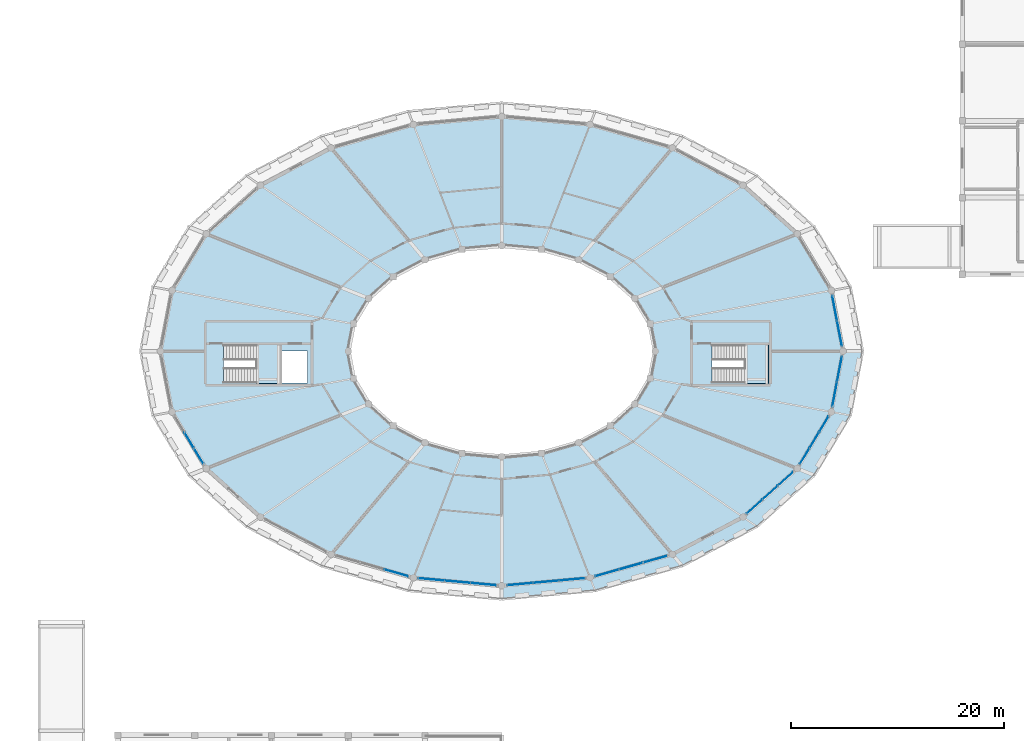
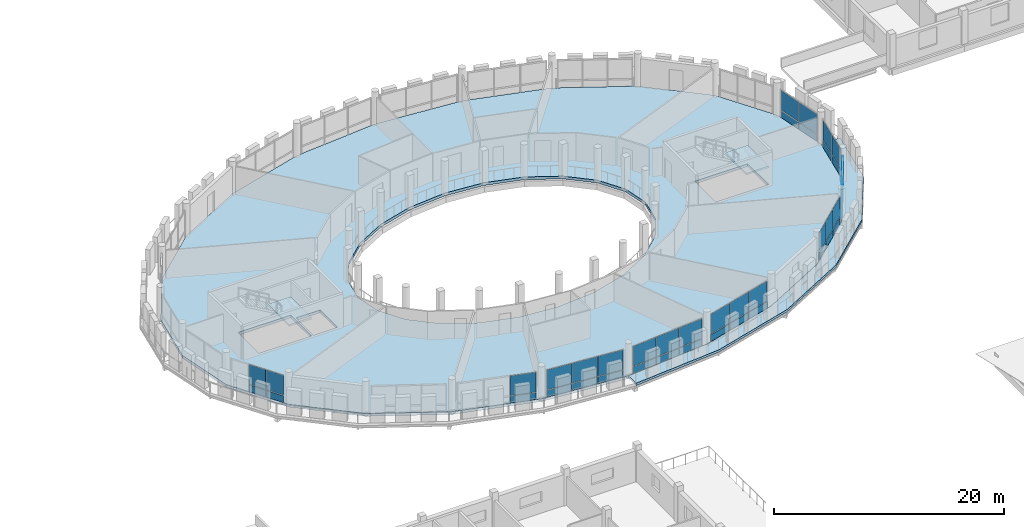
# One storey, part 65 of 93: 44 plates, 4 slabs, 11 elements without a shape of their own.
"""IFC4 building model written with IfcOpenShell, lengths in metres."""

from ifc_helpers import new_model, si_unit, direction, frame, origin, origin_2d, place, context, subcontext, project, spatial, polyline, rectangle, outline, extrude, material, layer, layer_set, type_object, element, aggregate, save


model = new_model("IFC4")

# Units and contexts
model_context = context("Model", 3, precision=1e-05, world=origin(), true_north=direction((0.0, 1.0)))
body_context = subcontext(model_context, "Body", "Model", "MODEL_VIEW")
ifc_project = project(units=[si_unit("LENGTHUNIT", "METRE"), si_unit("AREAUNIT", "SQUARE_METRE"), si_unit("VOLUMEUNIT", "CUBIC_METRE"), si_unit("PLANEANGLEUNIT", "RADIAN"), si_unit("MASSUNIT", "GRAM", prefix="KILO")], contexts=[model_context])

# Site, building, storey
site_placement = place(None, origin())
site = spatial("IfcSite", under=ifc_project, at=site_placement, CompositionType="ELEMENT")
building_placement = place(site_placement, origin())
building = spatial("IfcBuilding", under=site, at=building_placement, Name="Zornivar Specialist Clinic", CompositionType="ELEMENT")
storey_placement = place(building_placement, frame((0.0, 0.0, 8.39990234375)))
storey = spatial("IfcBuildingStorey", under=building, at=storey_placement, Name="L02", CompositionType="ELEMENT", Elevation=8.39990234375)

# Curtain wall, plate
ifc_material_1 = material(Name="Aluminium and Low-E Glass Curtain Wall", Category="aluminium")
curtain_wall_type = type_object("IfcCurtainWallType", Name="CW-DRUM-FACET", PredefinedType="NOTDEFINED", material=ifc_material_1)
curtain_wall_1_placement = place(storey_placement, origin())
curtain_wall_1 = element("IfcCurtainWall", 1, at=curtain_wall_1_placement, inside=storey, type_object=curtain_wall_type, Name="cw:V1:L02:c16", PredefinedType="NOTDEFINED")
ifc_material_2 = material(Name="Insulated Bronze Spandrel Panel")
ifc_layer_1 = layer(ifc_material_2, 0.048095703125)
ifc_layer_set_1 = layer_set([ifc_layer_1], Name="Insulated Bronze Spandrel Panel")
plate_type_1 = type_object("IfcPlateType", Name="CWP-SPN-A", PredefinedType="CURTAIN_PANEL", material=ifc_layer_set_1)
plate_1_placement = place(storey_placement, frame((83.72412109375, 36.803955078125, 0.02978515625), z_axis=(0.0, 0.0, 1.0), x_axis=(0.961761244933, -0.273889225319, 0.0)))
plate_1 = element("IfcPlate", 2, at=plate_1_placement, type_object=plate_type_1, Name="cw:V1:L02:c16:spn:2", PredefinedType="CURTAIN_PANEL", context=body_context, shape_type="SweptSolid", body=[
    extrude(rectangle(XDim=2.284912109375, YDim=0.048095703125, at=origin_2d()), origin(), (0.0, 0.0, 1.0), 0.722900390625),
])

# Curtain wall, plates
curtain_wall_2_placement = place(storey_placement, origin())
curtain_wall_2 = element("IfcCurtainWall", 3, at=curtain_wall_2_placement, inside=storey, type_object=curtain_wall_type, Name="cw:V1:L02:c22", PredefinedType="NOTDEFINED")
plate_2_placement = place(storey_placement, frame((122.010986328125, 47.759033203125, 0.02978515625), z_axis=(0.0, 0.0, 1.0), x_axis=(0.516127401954, 0.856511824175, 0.0)))
plate_2 = element("IfcPlate", 4, at=plate_2_placement, type_object=plate_type_1, Name="cw:V1:L02:c22:spn:0", PredefinedType="CURTAIN_PANEL", context=body_context, shape_type="SweptSolid", body=[
    extrude(rectangle(XDim=1.675048828125, YDim=0.048095703125, at=origin_2d()), origin(), (0.0, 0.0, 1.0), 0.722900390625),
])
plate_3_placement = place(storey_placement, frame((122.910888671875, 49.2529296875, 0.02978515625), z_axis=(0.0, 0.0, 1.0), x_axis=(0.516127401954, 0.856511824175, 0.0)))
plate_3 = element("IfcPlate", 5, at=plate_3_placement, type_object=plate_type_1, Name="cw:V1:L02:c22:spn:1", PredefinedType="CURTAIN_PANEL", context=body_context, shape_type="SweptSolid", body=[
    extrude(rectangle(XDim=1.675048828125, YDim=0.048095703125, at=origin_2d()), origin(), (0.0, 0.0, 1.0), 0.722900390625),
])
plate_4_placement = place(storey_placement, frame((123.81201171875, 50.748046875, 0.02978515625), z_axis=(0.0, 0.0, 1.0), x_axis=(0.516127401954, 0.856511824175, 0.0)))
plate_4 = element("IfcPlate", 6, at=plate_4_placement, type_object=plate_type_1, Name="cw:V1:L02:c22:spn:2", PredefinedType="CURTAIN_PANEL", context=body_context, shape_type="SweptSolid", body=[
    extrude(rectangle(XDim=1.675048828125, YDim=0.048095703125, at=origin_2d()), origin(), (0.0, 0.0, 1.0), 0.722900390625),
])

curtain_wall_3_placement = place(storey_placement, origin())
curtain_wall_3 = element("IfcCurtainWall", 7, at=curtain_wall_3_placement, inside=storey, type_object=curtain_wall_type, Name="cw:V1:L02:c17", PredefinedType="NOTDEFINED")
ifc_material_3 = material(Name="Insulated Bronze Spandrel Panel")
ifc_layer_2 = layer(ifc_material_3, 0.048095703125)
ifc_layer_set_2 = layer_set([ifc_layer_2], Name="Insulated Bronze Spandrel Panel")
plate_type_2 = type_object("IfcPlateType", Name="CWP-SPN-B", PredefinedType="CURTAIN_PANEL", material=ifc_layer_set_2)
plate_5_placement = place(storey_placement, frame((87.01708984375, 36.196044921875, 0.02978515625), z_axis=(0.0, 0.0, 1.0), x_axis=(0.995932792393, -0.09009923993, 0.0)))
plate_5 = element("IfcPlate", 8, at=plate_5_placement, type_object=plate_type_2, Name="cw:V1:L02:c17:spn:0", PredefinedType="CURTAIN_PANEL", context=body_context, shape_type="SweptSolid", body=[
    extrude(rectangle(XDim=2.382080078125, YDim=0.048095703125, at=origin_2d()), origin(), (0.0, 0.0, 1.0), 0.722900390625),
])
plate_6_placement = place(storey_placement, frame((89.458984375, 35.97509765625, 0.02978515625), z_axis=(0.0, 0.0, 1.0), x_axis=(0.995932792393, -0.09009923993, 0.0)))
plate_6 = element("IfcPlate", 9, at=plate_6_placement, type_object=plate_type_2, Name="cw:V1:L02:c17:spn:1", PredefinedType="CURTAIN_PANEL", context=body_context, shape_type="SweptSolid", body=[
    extrude(rectangle(XDim=2.382080078125, YDim=0.048095703125, at=origin_2d()), origin(), (0.0, 0.0, 1.0), 0.722900390625),
])
plate_7_placement = place(storey_placement, frame((91.90087890625, 35.75390625, 0.02978515625), z_axis=(0.0, 0.0, 1.0), x_axis=(0.995932792393, -0.09009923993, 0.0)))
plate_7 = element("IfcPlate", 10, at=plate_7_placement, type_object=plate_type_2, Name="cw:V1:L02:c17:spn:2", PredefinedType="CURTAIN_PANEL", context=body_context, shape_type="SweptSolid", body=[
    extrude(rectangle(XDim=2.382080078125, YDim=0.048095703125, at=origin_2d()), origin(), (0.0, 0.0, 1.0), 0.722900390625),
])

curtain_wall_4_placement = place(storey_placement, origin())
curtain_wall_4 = element("IfcCurtainWall", 11, at=curtain_wall_4_placement, inside=storey, type_object=curtain_wall_type, Name="cw:V1:L02:c23", PredefinedType="NOTDEFINED")
plate_8_placement = place(storey_placement, frame((124.827880859375, 53.56494140625, 0.02978515625), z_axis=(0.0, 0.0, 1.0), x_axis=(0.187896976838, 0.982188742602, 0.0)))
plate_8 = element("IfcPlate", 12, at=plate_8_placement, type_object=plate_type_2, Name="cw:V1:L02:c23:spn:0", PredefinedType="CURTAIN_PANEL", context=body_context, shape_type="SweptSolid", body=[
    extrude(rectangle(XDim=2.34912109375, YDim=0.048095703125, at=origin_2d()), origin(), (0.0, 0.0, 1.0), 0.722900390625),
])
plate_9_placement = place(storey_placement, frame((125.282958984375, 55.94091796875, 0.02978515625), z_axis=(0.0, 0.0, 1.0), x_axis=(0.187896976838, 0.982188742602, 0.0)))
plate_9 = element("IfcPlate", 13, at=plate_9_placement, type_object=plate_type_2, Name="cw:V1:L02:c23:spn:1", PredefinedType="CURTAIN_PANEL", context=body_context, shape_type="SweptSolid", body=[
    extrude(rectangle(XDim=2.34912109375, YDim=0.048095703125, at=origin_2d()), origin(), (0.0, 0.0, 1.0), 0.722900390625),
])

curtain_wall_5_placement = place(storey_placement, origin())
curtain_wall_5 = element("IfcCurtainWall", 14, at=curtain_wall_5_placement, inside=storey, type_object=curtain_wall_type, Name="cw:V1:L02:c00", PredefinedType="NOTDEFINED")
ifc_material_4 = material(Name="Insulated Bronze Spandrel Panel")
ifc_layer_3 = layer(ifc_material_4, 0.048095703125)
ifc_layer_set_3 = layer_set([ifc_layer_3], Name="Insulated Bronze Spandrel Panel")
plate_type_3 = type_object("IfcPlateType", Name="CWP-SPN-C", PredefinedType="CURTAIN_PANEL", material=ifc_layer_set_3)
plate_10_placement = place(storey_placement, frame((125.281982421875, 59.259033203125, 0.02978515625), z_axis=(0.0, 0.0, 1.0), x_axis=(-0.187896976838, 0.982188742602, 0.0)))
plate_10 = element("IfcPlate", 15, at=plate_10_placement, type_object=plate_type_3, Name="cw:V1:L02:c00:spn:0", PredefinedType="CURTAIN_PANEL", context=body_context, shape_type="SweptSolid", body=[
    extrude(rectangle(XDim=2.34912109375, YDim=0.048095703125, at=origin_2d()), origin(), (0.0, 0.0, 1.0), 0.722900390625),
])
plate_11_placement = place(storey_placement, frame((124.826904296875, 61.635009765625, 0.02978515625), z_axis=(0.0, 0.0, 1.0), x_axis=(-0.187896976838, 0.982188742602, 0.0)))
plate_11 = element("IfcPlate", 16, at=plate_11_placement, type_object=plate_type_3, Name="cw:V1:L02:c00:spn:1", PredefinedType="CURTAIN_PANEL", context=body_context, shape_type="SweptSolid", body=[
    extrude(rectangle(XDim=2.34912109375, YDim=0.048095703125, at=origin_2d()), origin(), (0.0, 0.0, 1.0), 0.722900390625),
])

curtain_wall_6_placement = place(storey_placement, origin())
curtain_wall_6 = element("IfcCurtainWall", 17, at=curtain_wall_6_placement, inside=storey, type_object=curtain_wall_type, Name="cw:V1:L02:c18", PredefinedType="NOTDEFINED")
plate_12_placement = place(storey_placement, frame((95.299072265625, 35.75390625, 0.02978515625), z_axis=(0.0, 0.0, 1.0), x_axis=(0.995932792393, 0.09009923993, 0.0)))
plate_12 = element("IfcPlate", 18, at=plate_12_placement, type_object=plate_type_3, Name="cw:V1:L02:c18:spn:0", PredefinedType="CURTAIN_PANEL", context=body_context, shape_type="SweptSolid", body=[
    extrude(rectangle(XDim=2.382080078125, YDim=0.048095703125, at=origin_2d()), origin(), (0.0, 0.0, 1.0), 0.722900390625),
])
plate_13_placement = place(storey_placement, frame((97.740966796875, 35.97509765625, 0.02978515625), z_axis=(0.0, 0.0, 1.0), x_axis=(0.995932792393, 0.09009923993, 0.0)))
plate_13 = element("IfcPlate", 19, at=plate_13_placement, type_object=plate_type_3, Name="cw:V1:L02:c18:spn:1", PredefinedType="CURTAIN_PANEL", context=body_context, shape_type="SweptSolid", body=[
    extrude(rectangle(XDim=2.382080078125, YDim=0.048095703125, at=origin_2d()), origin(), (0.0, 0.0, 1.0), 0.722900390625),
])
plate_14_placement = place(storey_placement, frame((100.18310546875, 36.196044921875, 0.02978515625), z_axis=(0.0, 0.0, 1.0), x_axis=(0.995932792393, 0.09009923993, 0.0)))
plate_14 = element("IfcPlate", 20, at=plate_14_placement, type_object=plate_type_3, Name="cw:V1:L02:c18:spn:2", PredefinedType="CURTAIN_PANEL", context=body_context, shape_type="SweptSolid", body=[
    extrude(rectangle(XDim=2.382080078125, YDim=0.048095703125, at=origin_2d()), origin(), (0.0, 0.0, 1.0), 0.722900390625),
])

curtain_wall_7_placement = place(storey_placement, origin())
curtain_wall_7 = element("IfcCurtainWall", 21, at=curtain_wall_7_placement, inside=storey, type_object=curtain_wall_type, Name="cw:V1:L02:c13", PredefinedType="NOTDEFINED")
ifc_material_5 = material(Name="Insulated Limestone-Faced Spandrel Panel", Category="masonry")
ifc_layer_4 = layer(ifc_material_5, 0.05810546875)
ifc_layer_set_4 = layer_set([ifc_layer_4], Name="Insulated Limestone-Faced Spandrel Panel")
plate_type_4 = type_object("IfcPlateType", Name="CWP-SPN-D", PredefinedType="CURTAIN_PANEL", material=ifc_layer_set_4)
plate_15_placement = place(storey_placement, frame((64.2880859375, 49.2529296875, 0.02978515625), z_axis=(0.0, 0.0, 1.0), x_axis=(0.516127401954, -0.856511824175, 0.0)))
plate_15 = element("IfcPlate", 22, at=plate_15_placement, type_object=plate_type_4, Name="cw:V1:L02:c13:spn:1", PredefinedType="CURTAIN_PANEL", context=body_context, shape_type="SweptSolid", body=[
    extrude(rectangle(XDim=1.675048828125, YDim=0.05810546875, at=origin_2d()), origin(), (0.0, 0.0, 1.0), 0.722900390625),
])
plate_16_placement = place(storey_placement, frame((65.18896484375, 47.758056640625, 0.02978515625), z_axis=(0.0, 0.0, 1.0), x_axis=(0.516127401954, -0.856511824175, 0.0)))
plate_16 = element("IfcPlate", 23, at=plate_16_placement, type_object=plate_type_4, Name="cw:V1:L02:c13:spn:2", PredefinedType="CURTAIN_PANEL", context=body_context, shape_type="SweptSolid", body=[
    extrude(rectangle(XDim=1.675048828125, YDim=0.05810546875, at=origin_2d()), origin(), (0.0, 0.0, 1.0), 0.722900390625),
])

curtain_wall_8_placement = place(storey_placement, origin())
curtain_wall_8 = element("IfcCurtainWall", 24, at=curtain_wall_8_placement, inside=storey, type_object=curtain_wall_type, Name="cw:V1:L02:c19", PredefinedType="NOTDEFINED")
plate_17_placement = place(storey_placement, frame((103.47607421875, 36.802978515625, 0.02978515625), z_axis=(0.0, 0.0, 1.0), x_axis=(0.961761244933, 0.273889225319, 0.0)))
plate_17 = element("IfcPlate", 25, at=plate_17_placement, type_object=plate_type_4, Name="cw:V1:L02:c19:spn:0", PredefinedType="CURTAIN_PANEL", context=body_context, shape_type="SweptSolid", body=[
    extrude(rectangle(XDim=2.284912109375, YDim=0.05810546875, at=origin_2d()), origin(), (0.0, 0.0, 1.0), 0.722900390625),
])
plate_18_placement = place(storey_placement, frame((105.740966796875, 37.447998046875, 0.02978515625), z_axis=(0.0, 0.0, 1.0), x_axis=(0.961761244933, 0.273889225319, 0.0)))
plate_18 = element("IfcPlate", 26, at=plate_18_placement, type_object=plate_type_4, Name="cw:V1:L02:c19:spn:1", PredefinedType="CURTAIN_PANEL", context=body_context, shape_type="SweptSolid", body=[
    extrude(rectangle(XDim=2.284912109375, YDim=0.05810546875, at=origin_2d()), origin(), (0.0, 0.0, 1.0), 0.722900390625),
])
plate_19_placement = place(storey_placement, frame((108.006103515625, 38.093017578125, 0.02978515625), z_axis=(0.0, 0.0, 1.0), x_axis=(0.961761244933, 0.273889225319, 0.0)))
plate_19 = element("IfcPlate", 27, at=plate_19_placement, type_object=plate_type_4, Name="cw:V1:L02:c19:spn:2", PredefinedType="CURTAIN_PANEL", context=body_context, shape_type="SweptSolid", body=[
    extrude(rectangle(XDim=2.284912109375, YDim=0.05810546875, at=origin_2d()), origin(), (0.0, 0.0, 1.0), 0.722900390625),
])

curtain_wall_9_placement = place(storey_placement, origin())
curtain_wall_9 = element("IfcCurtainWall", 28, at=curtain_wall_9_placement, inside=storey, type_object=curtain_wall_type, Name="cw:V1:L02:c21", PredefinedType="NOTDEFINED")
ifc_material_6 = material(Name="Insulated Terracotta Spandrel Panel", Category="masonry")
ifc_layer_5 = layer(ifc_material_6, 0.05810546875)
ifc_layer_set_5 = layer_set([ifc_layer_5], Name="Insulated Terracotta Spandrel Panel")
plate_type_5 = type_object("IfcPlateType", Name="CWP-SPN-F", PredefinedType="CURTAIN_PANEL", material=ifc_layer_set_5)
plate_20_placement = place(storey_placement, frame((117.31298828125, 43.01708984375, 0.02978515625), z_axis=(0.0, 0.0, 1.0), x_axis=(0.744880599036, 0.667197791648, 0.0)))
plate_20 = element("IfcPlate", 29, at=plate_20_placement, type_object=plate_type_5, Name="cw:V1:L02:c21:spn:0", PredefinedType="CURTAIN_PANEL", context=body_context, shape_type="SweptSolid", body=[
    extrude(rectangle(XDim=1.885986328125, YDim=0.05810546875, at=origin_2d()), origin(), (0.0, 0.0, 1.0), 0.722900390625),
])
plate_21_placement = place(storey_placement, frame((118.77001953125, 44.322021484375, 0.02978515625), z_axis=(0.0, 0.0, 1.0), x_axis=(0.744880599036, 0.667197791648, 0.0)))
plate_21 = element("IfcPlate", 30, at=plate_21_placement, type_object=plate_type_5, Name="cw:V1:L02:c21:spn:1", PredefinedType="CURTAIN_PANEL", context=body_context, shape_type="SweptSolid", body=[
    extrude(rectangle(XDim=1.885986328125, YDim=0.05810546875, at=origin_2d()), origin(), (0.0, 0.0, 1.0), 0.722900390625),
])
plate_22_placement = place(storey_placement, frame((120.22705078125, 45.626953125, 0.02978515625), z_axis=(0.0, 0.0, 1.0), x_axis=(0.744880599036, 0.667197791648, 0.0)))
plate_22 = element("IfcPlate", 31, at=plate_22_placement, type_object=plate_type_5, Name="cw:V1:L02:c21:spn:2", PredefinedType="CURTAIN_PANEL", context=body_context, shape_type="SweptSolid", body=[
    extrude(rectangle(XDim=1.885009765625, YDim=0.05810546875, at=origin_2d()), origin(), (0.0, 0.0, 1.0), 0.722900390625),
])

# Plate
ifc_material_7 = material(Name="Triple Low-E Vision Glass", Category="glass")
ifc_layer_6 = layer(ifc_material_7, 0.035888671875)
ifc_layer_set_6 = layer_set([ifc_layer_6], Name="Triple Low-E Vision Glass")
plate_type_6 = type_object("IfcPlateType", Name="CWP-VIS-A", PredefinedType="CURTAIN_PANEL", material=ifc_layer_set_6)
plate_23_placement = place(storey_placement, frame((95.299072265625, 35.75390625, 0.81787109375), z_axis=(0.0, 0.0, 1.0), x_axis=(0.995932792393, 0.09009923993, 0.0)))
plate_23 = element("IfcPlate", 32, at=plate_23_placement, type_object=plate_type_6, Name="cw:V1:L02:c18:vis:0", PredefinedType="CURTAIN_PANEL", context=body_context, shape_type="SweptSolid", body=[
    extrude(rectangle(XDim=2.382080078125, YDim=0.035888671875, at=origin_2d()), origin(), (0.0, 0.0, 1.0), 2.092041015625),
])

plate_24_placement = place(storey_placement, frame((97.740966796875, 35.97509765625, 0.81787109375), z_axis=(0.0, 0.0, 1.0), x_axis=(0.995932792393, 0.09009923993, 0.0)))
plate_24 = element("IfcPlate", 33, at=plate_24_placement, type_object=plate_type_6, Name="cw:V1:L02:c18:vis:1", PredefinedType="CURTAIN_PANEL", context=body_context, shape_type="SweptSolid", body=[
    extrude(rectangle(XDim=2.382080078125, YDim=0.035888671875, at=origin_2d()), origin(), (0.0, 0.0, 1.0), 2.092041015625),
])

plate_25_placement = place(storey_placement, frame((100.18310546875, 36.196044921875, 0.81787109375), z_axis=(0.0, 0.0, 1.0), x_axis=(0.995932792393, 0.09009923993, 0.0)))
plate_25 = element("IfcPlate", 34, at=plate_25_placement, type_object=plate_type_6, Name="cw:V1:L02:c18:vis:2", PredefinedType="CURTAIN_PANEL", context=body_context, shape_type="SweptSolid", body=[
    extrude(rectangle(XDim=2.382080078125, YDim=0.035888671875, at=origin_2d()), origin(), (0.0, 0.0, 1.0), 2.092041015625),
])

aggregate(curtain_wall_6, [plate_12, plate_23, plate_13, plate_24, plate_14, plate_25])

ifc_material_8 = material(Name="Triple Low-E Vision Glass", Category="glass")
ifc_layer_7 = layer(ifc_material_8, 0.035888671875)
ifc_layer_set_7 = layer_set([ifc_layer_7], Name="Triple Low-E Vision Glass")
plate_type_7 = type_object("IfcPlateType", Name="CWP-VIS-B", PredefinedType="CURTAIN_PANEL", material=ifc_layer_set_7)
plate_26_placement = place(storey_placement, frame((103.47607421875, 36.802978515625, 0.81787109375), z_axis=(0.0, 0.0, 1.0), x_axis=(0.961761244933, 0.273889225319, 0.0)))
plate_26 = element("IfcPlate", 35, at=plate_26_placement, type_object=plate_type_7, Name="cw:V1:L02:c19:vis:0", PredefinedType="CURTAIN_PANEL", context=body_context, shape_type="SweptSolid", body=[
    extrude(rectangle(XDim=2.284912109375, YDim=0.035888671875, at=origin_2d()), origin(), (0.0, 0.0, 1.0), 2.092041015625),
])

plate_27_placement = place(storey_placement, frame((105.740966796875, 37.447998046875, 0.81787109375), z_axis=(0.0, 0.0, 1.0), x_axis=(0.961761244933, 0.273889225319, 0.0)))
plate_27 = element("IfcPlate", 36, at=plate_27_placement, type_object=plate_type_7, Name="cw:V1:L02:c19:vis:1", PredefinedType="CURTAIN_PANEL", context=body_context, shape_type="SweptSolid", body=[
    extrude(rectangle(XDim=2.284912109375, YDim=0.035888671875, at=origin_2d()), origin(), (0.0, 0.0, 1.0), 2.092041015625),
])

plate_28_placement = place(storey_placement, frame((108.006103515625, 38.093017578125, 0.81787109375), z_axis=(0.0, 0.0, 1.0), x_axis=(0.961761244933, 0.273889225319, 0.0)))
plate_28 = element("IfcPlate", 37, at=plate_28_placement, type_object=plate_type_7, Name="cw:V1:L02:c19:vis:2", PredefinedType="CURTAIN_PANEL", context=body_context, shape_type="SweptSolid", body=[
    extrude(rectangle(XDim=2.284912109375, YDim=0.035888671875, at=origin_2d()), origin(), (0.0, 0.0, 1.0), 2.092041015625),
])

aggregate(curtain_wall_8, [plate_17, plate_26, plate_18, plate_27, plate_19, plate_28])

ifc_material_9 = material(Name="Triple Low-E Vision Glass", Category="glass")
ifc_layer_8 = layer(ifc_material_9, 0.035888671875)
ifc_layer_set_8 = layer_set([ifc_layer_8], Name="Triple Low-E Vision Glass")
plate_type_8 = type_object("IfcPlateType", Name="CWP-VIS-C", PredefinedType="CURTAIN_PANEL", material=ifc_layer_set_8)
plate_29_placement = place(storey_placement, frame((125.281982421875, 59.259033203125, 0.81787109375), z_axis=(0.0, 0.0, 1.0), x_axis=(-0.187896976838, 0.982188742602, 0.0)))
plate_29 = element("IfcPlate", 38, at=plate_29_placement, type_object=plate_type_8, Name="cw:V1:L02:c00:vis:0", PredefinedType="CURTAIN_PANEL", context=body_context, shape_type="SweptSolid", body=[
    extrude(rectangle(XDim=2.34912109375, YDim=0.035888671875, at=origin_2d()), origin(), (0.0, 0.0, 1.0), 2.092041015625),
])

plate_30_placement = place(storey_placement, frame((124.826904296875, 61.635009765625, 0.81787109375), z_axis=(0.0, 0.0, 1.0), x_axis=(-0.187896976838, 0.982188742602, 0.0)))
plate_30 = element("IfcPlate", 39, at=plate_30_placement, type_object=plate_type_8, Name="cw:V1:L02:c00:vis:1", PredefinedType="CURTAIN_PANEL", context=body_context, shape_type="SweptSolid", body=[
    extrude(rectangle(XDim=2.34912109375, YDim=0.035888671875, at=origin_2d()), origin(), (0.0, 0.0, 1.0), 2.092041015625),
])

aggregate(curtain_wall_5, [plate_10, plate_29, plate_11, plate_30])

ifc_material_10 = material(Name="Triple Low-E Vision Glass", Category="glass")
ifc_layer_9 = layer(ifc_material_10, 0.0380859375)
ifc_layer_set_9 = layer_set([ifc_layer_9], Name="Triple Low-E Vision Glass")
plate_type_9 = type_object("IfcPlateType", Name="CWP-VIS-D", PredefinedType="CURTAIN_PANEL", material=ifc_layer_set_9)
plate_31_placement = place(storey_placement, frame((117.31298828125, 43.01708984375, 0.81787109375), z_axis=(0.0, 0.0, 1.0), x_axis=(0.744880599036, 0.667197791648, 0.0)))
plate_31 = element("IfcPlate", 40, at=plate_31_placement, type_object=plate_type_9, Name="cw:V1:L02:c21:vis:0", PredefinedType="CURTAIN_PANEL", context=body_context, shape_type="SweptSolid", body=[
    extrude(rectangle(XDim=1.885986328125, YDim=0.0380859375, at=origin_2d()), origin(), (0.0, 0.0, 1.0), 2.092041015625),
])

plate_32_placement = place(storey_placement, frame((118.77001953125, 44.322021484375, 0.81787109375), z_axis=(0.0, 0.0, 1.0), x_axis=(0.744880599036, 0.667197791648, 0.0)))
plate_32 = element("IfcPlate", 41, at=plate_32_placement, type_object=plate_type_9, Name="cw:V1:L02:c21:vis:1", PredefinedType="CURTAIN_PANEL", context=body_context, shape_type="SweptSolid", body=[
    extrude(rectangle(XDim=1.885986328125, YDim=0.0380859375, at=origin_2d()), origin(), (0.0, 0.0, 1.0), 2.092041015625),
])

plate_33_placement = place(storey_placement, frame((120.22705078125, 45.626953125, 0.81787109375), z_axis=(0.0, 0.0, 1.0), x_axis=(0.744880599036, 0.667197791648, 0.0)))
plate_33 = element("IfcPlate", 42, at=plate_33_placement, type_object=plate_type_9, Name="cw:V1:L02:c21:vis:2", PredefinedType="CURTAIN_PANEL", context=body_context, shape_type="SweptSolid", body=[
    extrude(rectangle(XDim=1.885009765625, YDim=0.0380859375, at=origin_2d()), origin(), (0.0, 0.0, 1.0), 2.092041015625),
])

aggregate(curtain_wall_9, [plate_20, plate_31, plate_21, plate_32, plate_22, plate_33])

ifc_material_11 = material(Name="Triple Low-E Vision Glass", Category="glass")
ifc_layer_10 = layer(ifc_material_11, 0.035888671875)
ifc_layer_set_10 = layer_set([ifc_layer_10], Name="Triple Low-E Vision Glass")
plate_type_10 = type_object("IfcPlateType", Name="CWP-VIS-E", PredefinedType="CURTAIN_PANEL", material=ifc_layer_set_10)
plate_34_placement = place(storey_placement, frame((122.010986328125, 47.759033203125, 0.81787109375), z_axis=(0.0, 0.0, 1.0), x_axis=(0.516127401954, 0.856511824175, 0.0)))
plate_34 = element("IfcPlate", 43, at=plate_34_placement, type_object=plate_type_10, Name="cw:V1:L02:c22:vis:0", PredefinedType="CURTAIN_PANEL", context=body_context, shape_type="SweptSolid", body=[
    extrude(rectangle(XDim=1.675048828125, YDim=0.035888671875, at=origin_2d()), origin(), (0.0, 0.0, 1.0), 2.092041015625),
])

plate_35_placement = place(storey_placement, frame((122.910888671875, 49.2529296875, 0.81787109375), z_axis=(0.0, 0.0, 1.0), x_axis=(0.516127401954, 0.856511824175, 0.0)))
plate_35 = element("IfcPlate", 44, at=plate_35_placement, type_object=plate_type_10, Name="cw:V1:L02:c22:vis:1", PredefinedType="CURTAIN_PANEL", context=body_context, shape_type="SweptSolid", body=[
    extrude(rectangle(XDim=1.675048828125, YDim=0.035888671875, at=origin_2d()), origin(), (0.0, 0.0, 1.0), 2.092041015625),
])

plate_36_placement = place(storey_placement, frame((123.81201171875, 50.748046875, 0.81787109375), z_axis=(0.0, 0.0, 1.0), x_axis=(0.516127401954, 0.856511824175, 0.0)))
plate_36 = element("IfcPlate", 45, at=plate_36_placement, type_object=plate_type_10, Name="cw:V1:L02:c22:vis:2", PredefinedType="CURTAIN_PANEL", context=body_context, shape_type="SweptSolid", body=[
    extrude(rectangle(XDim=1.675048828125, YDim=0.035888671875, at=origin_2d()), origin(), (0.0, 0.0, 1.0), 2.092041015625),
])

aggregate(curtain_wall_2, [plate_2, plate_34, plate_3, plate_35, plate_4, plate_36])

ifc_material_12 = material(Name="Triple Low-E Vision Glass", Category="glass")
ifc_layer_11 = layer(ifc_material_12, 0.035888671875)
ifc_layer_set_11 = layer_set([ifc_layer_11], Name="Triple Low-E Vision Glass")
plate_type_11 = type_object("IfcPlateType", Name="CWP-VIS-F", PredefinedType="CURTAIN_PANEL", material=ifc_layer_set_11)
plate_37_placement = place(storey_placement, frame((64.2880859375, 49.2529296875, 0.81787109375), z_axis=(0.0, 0.0, 1.0), x_axis=(0.516127401954, -0.856511824175, 0.0)))
plate_37 = element("IfcPlate", 46, at=plate_37_placement, type_object=plate_type_11, Name="cw:V1:L02:c13:vis:1", PredefinedType="CURTAIN_PANEL", context=body_context, shape_type="SweptSolid", body=[
    extrude(rectangle(XDim=1.675048828125, YDim=0.035888671875, at=origin_2d()), origin(), (0.0, 0.0, 1.0), 2.092041015625),
])

plate_38_placement = place(storey_placement, frame((65.18896484375, 47.758056640625, 0.81787109375), z_axis=(0.0, 0.0, 1.0), x_axis=(0.516127401954, -0.856511824175, 0.0)))
plate_38 = element("IfcPlate", 47, at=plate_38_placement, type_object=plate_type_11, Name="cw:V1:L02:c13:vis:2", PredefinedType="CURTAIN_PANEL", context=body_context, shape_type="SweptSolid", body=[
    extrude(rectangle(XDim=1.675048828125, YDim=0.035888671875, at=origin_2d()), origin(), (0.0, 0.0, 1.0), 2.092041015625),
])

aggregate(curtain_wall_7, [plate_15, plate_37, plate_16, plate_38])

plate_39_placement = place(storey_placement, frame((124.827880859375, 53.56494140625, 0.81787109375), z_axis=(0.0, 0.0, 1.0), x_axis=(0.187896976838, 0.982188742602, 0.0)))
plate_39 = element("IfcPlate", 48, at=plate_39_placement, type_object=plate_type_11, Name="cw:V1:L02:c23:vis:0", PredefinedType="CURTAIN_PANEL", context=body_context, shape_type="SweptSolid", body=[
    extrude(rectangle(XDim=2.34912109375, YDim=0.035888671875, at=origin_2d()), origin(), (0.0, 0.0, 1.0), 2.092041015625),
])

plate_40_placement = place(storey_placement, frame((125.282958984375, 55.94091796875, 0.81787109375), z_axis=(0.0, 0.0, 1.0), x_axis=(0.187896976838, 0.982188742602, 0.0)))
plate_40 = element("IfcPlate", 49, at=plate_40_placement, type_object=plate_type_11, Name="cw:V1:L02:c23:vis:1", PredefinedType="CURTAIN_PANEL", context=body_context, shape_type="SweptSolid", body=[
    extrude(rectangle(XDim=2.34912109375, YDim=0.035888671875, at=origin_2d()), origin(), (0.0, 0.0, 1.0), 2.092041015625),
])

aggregate(curtain_wall_4, [plate_8, plate_39, plate_9, plate_40])

ifc_material_13 = material(Name="Triple Low-E Vision Glass", Category="glass")
ifc_layer_12 = layer(ifc_material_13, 0.033935546875)
ifc_layer_set_12 = layer_set([ifc_layer_12], Name="Triple Low-E Vision Glass")
plate_type_12 = type_object("IfcPlateType", Name="CWP-VIS-J", PredefinedType="CURTAIN_PANEL", material=ifc_layer_set_12)
plate_41_placement = place(storey_placement, frame((83.72412109375, 36.803955078125, 0.81787109375), z_axis=(0.0, 0.0, 1.0), x_axis=(0.961761244933, -0.273889225319, 0.0)))
plate_41 = element("IfcPlate", 50, at=plate_41_placement, type_object=plate_type_12, Name="cw:V1:L02:c16:vis:2", PredefinedType="CURTAIN_PANEL", context=body_context, shape_type="SweptSolid", body=[
    extrude(rectangle(XDim=2.284912109375, YDim=0.033935546875, at=origin_2d()), origin(), (0.0, 0.0, 1.0), 2.092041015625),
])

aggregate(curtain_wall_1, [plate_1, plate_41])

ifc_material_14 = material(Name="Solar-Control Wintergarden Glass", Category="glass")
ifc_layer_13 = layer(ifc_material_14, 0.0380859375)
ifc_layer_set_13 = layer_set([ifc_layer_13], Name="Solar-Control Wintergarden Glass")
plate_type_13 = type_object("IfcPlateType", Name="CWP-VIS-L", PredefinedType="CURTAIN_PANEL", material=ifc_layer_set_13)
plate_42_placement = place(storey_placement, frame((87.01708984375, 36.196044921875, 0.81787109375), z_axis=(0.0, 0.0, 1.0), x_axis=(0.995932792393, -0.09009923993, 0.0)))
plate_42 = element("IfcPlate", 51, at=plate_42_placement, type_object=plate_type_13, Name="cw:V1:L02:c17:vis:0", PredefinedType="CURTAIN_PANEL", context=body_context, shape_type="SweptSolid", body=[
    extrude(rectangle(XDim=2.382080078125, YDim=0.0380859375, at=origin_2d()), origin(), (0.0, 0.0, 1.0), 2.092041015625),
])

plate_43_placement = place(storey_placement, frame((89.458984375, 35.97509765625, 0.81787109375), z_axis=(0.0, 0.0, 1.0), x_axis=(0.995932792393, -0.09009923993, 0.0)))
plate_43 = element("IfcPlate", 52, at=plate_43_placement, type_object=plate_type_13, Name="cw:V1:L02:c17:vis:1", PredefinedType="CURTAIN_PANEL", context=body_context, shape_type="SweptSolid", body=[
    extrude(rectangle(XDim=2.382080078125, YDim=0.0380859375, at=origin_2d()), origin(), (0.0, 0.0, 1.0), 2.092041015625),
])

plate_44_placement = place(storey_placement, frame((91.90087890625, 35.75390625, 0.81787109375), z_axis=(0.0, 0.0, 1.0), x_axis=(0.995932792393, -0.09009923993, 0.0)))
plate_44 = element("IfcPlate", 53, at=plate_44_placement, type_object=plate_type_13, Name="cw:V1:L02:c17:vis:2", PredefinedType="CURTAIN_PANEL", context=body_context, shape_type="SweptSolid", body=[
    extrude(rectangle(XDim=2.382080078125, YDim=0.0380859375, at=origin_2d()), origin(), (0.0, 0.0, 1.0), 2.092041015625),
])

aggregate(curtain_wall_3, [plate_5, plate_42, plate_6, plate_43, plate_7, plate_44])

# Slabs
ifc_material_15 = material(Name="Concrete C30/37", Category="concrete")
ifc_layer_14 = layer(ifc_material_15, 0.239990234375)
ifc_layer_set_14 = layer_set([ifc_layer_14], Name="Concrete C30/37")
slab_type_1 = type_object("IfcSlabType", Name="SLB-EXT-BALC-240", PredefinedType="FLOOR", material=ifc_layer_set_14)
slab_1_placement = place(storey_placement, frame((0.0, 0.0, -0.239990234375)))
element("IfcSlab", 54, at=slab_1_placement, inside=storey, type_object=slab_type_1, Name="slab:V1:L02:balc:q3", PredefinedType="FLOOR", context=body_context, shape_type="SweptSolid", body=[
    extrude(outline(polyline([(93.60009765625, 35.60009765625), (101.882080078125, 36.35009765625), (109.60009765625, 38.547119140625), (116.22705078125, 42.0439453125), (121.31298828125, 46.60009765625), (124.510009765625, 51.906005859375), (125.60009765625, 57.60009765625), (127.52001953125, 57.60009765625), (126.364013671875, 51.56396484375), (122.97607421875, 45.93994140625), (117.5849609375, 41.110107421875), (110.56005859375, 37.404052734375), (102.37890625, 35.074951171875), (93.60009765625, 34.280029296875), (93.60009765625, 35.60009765625)])), origin(), (0.0, 0.0, 1.0), 0.239990234375),
])
ifc_material_16 = material(Name="Concrete C30/37", Category="concrete")
ifc_layer_15 = layer(ifc_material_16, 0.2900390625)
ifc_layer_set_15 = layer_set([ifc_layer_15], Name="Concrete C30/37")
slab_type_2 = type_object("IfcSlabType", Name="SLB-FLR-DRUM-290", PredefinedType="FLOOR", material=ifc_layer_set_15)
slab_2_placement = place(storey_placement, frame((0.0, 0.0, -0.289794921875)))
element("IfcSlab", 55, at=slab_2_placement, inside=storey, type_object=slab_type_2, Name="slab:V1:L02:ring", PredefinedType="FLOOR", context=body_context, shape_type="SweptSolid", body=[
    extrude(outline(polyline([(125.60009765625, 57.60009765625), (124.510009765625, 63.2939453125), (121.31298828125, 68.60009765625), (116.22705078125, 73.156005859375), (109.60009765625, 76.653076171875), (101.882080078125, 78.85009765625), (93.60009765625, 79.60009765625), (85.318115234375, 78.85009765625), (77.60009765625, 76.653076171875), (70.972900390625, 73.156005859375), (65.886962890625, 68.60009765625), (62.68994140625, 63.2939453125), (61.60009765625, 57.60009765625), (62.68994140625, 51.906005859375), (65.886962890625, 46.60009765625), (70.972900390625, 42.0439453125), (77.60009765625, 38.547119140625), (85.318115234375, 36.35009765625), (93.60009765625, 35.60009765625), (101.882080078125, 36.35009765625), (109.60009765625, 38.547119140625), (116.22705078125, 42.0439453125), (121.31298828125, 46.60009765625), (124.510009765625, 51.906005859375), (125.60009765625, 57.60009765625)]), holes=[polyline([(108.0, 57.60009765625), (107.509033203125, 60.162109375), (106.071044921875, 62.550048828125), (103.781982421875, 64.60009765625), (100.800048828125, 66.174072265625), (97.326904296875, 67.1630859375), (93.60009765625, 67.5), (89.873046875, 67.1630859375), (86.39990234375, 66.174072265625), (83.41796875, 64.60009765625), (81.12890625, 62.550048828125), (79.69091796875, 60.162109375), (79.199951171875, 57.60009765625), (79.69091796875, 55.0380859375), (81.12890625, 52.64990234375), (83.41796875, 50.60009765625), (86.39990234375, 49.02587890625), (89.873046875, 48.037109375), (93.60009765625, 47.699951171875), (97.326904296875, 48.037109375), (100.800048828125, 49.02587890625), (103.781982421875, 50.60009765625), (106.071044921875, 52.64990234375), (107.509033203125, 55.0380859375), (108.0, 57.60009765625)]), polyline([(67.52001953125, 54.60009765625), (72.800048828125, 54.60009765625), (72.800048828125, 58.199951171875), (67.52001953125, 58.199951171875), (67.52001953125, 54.60009765625)]), polyline([(73.0, 54.60009765625), (75.39990234375, 54.60009765625), (75.39990234375, 57.60009765625), (73.0, 57.60009765625), (73.0, 54.60009765625)]), polyline([(113.320068359375, 54.60009765625), (118.60009765625, 54.60009765625), (118.60009765625, 58.199951171875), (113.320068359375, 58.199951171875), (113.320068359375, 54.60009765625)])]), origin(), (0.0, 0.0, 1.0), 0.289794921875),
])

# Stair, slab
ifc_material_17 = material(Name="Concrete C30/37", Category="concrete")
stair_type = type_object("IfcStairType", Name="STR-CORE-V1-3700", PredefinedType="HALF_TURN_STAIR", material=ifc_material_17)
stair_1_placement = place(storey_placement, origin())
stair_1 = element("IfcStair", 56, at=stair_1_placement, inside=storey, type_object=stair_type, Name="stair:C3:L02", PredefinedType="HALF_TURN_STAIR")
ifc_material_18 = material(Name="Concrete C30/37", Category="concrete")
ifc_layer_16 = layer(ifc_material_18, 0.179931640625)
ifc_layer_set_16 = layer_set([ifc_layer_16], Name="Concrete C30/37")
slab_type_3 = type_object("IfcSlabType", Name="SLB-LANDING-180", PredefinedType="LANDING", material=ifc_layer_set_16)
slab_3_placement = place(storey_placement, frame((0.0, 0.0, 1.77001953125)))
slab_3 = element("IfcSlab", 57, at=slab_3_placement, type_object=slab_type_3, Name="stair:C3:L02:land", PredefinedType="LANDING", context=body_context, shape_type="SweptSolid", body=[
    extrude(outline(polyline([(70.56005859375, 54.580078125), (72.820068359375, 54.580078125), (72.820068359375, 58.219970703125), (70.56005859375, 58.219970703125), (70.56005859375, 54.580078125)])), origin(), (0.0, 0.0, 1.0), 0.18017578125),
])
aggregate(stair_1, [slab_3])

stair_2_placement = place(storey_placement, origin())
stair_2 = element("IfcStair", 58, at=stair_2_placement, inside=storey, type_object=stair_type, Name="stair:C4:L02", PredefinedType="HALF_TURN_STAIR")
slab_4_placement = place(storey_placement, frame((0.0, 0.0, 1.77001953125)))
slab_4 = element("IfcSlab", 59, at=slab_4_placement, type_object=slab_type_3, Name="stair:C4:L02:land", PredefinedType="LANDING", context=body_context, shape_type="SweptSolid", body=[
    extrude(outline(polyline([(116.360107421875, 54.580078125), (118.6201171875, 54.580078125), (118.6201171875, 58.219970703125), (116.360107421875, 58.219970703125), (116.360107421875, 54.580078125)])), origin(), (0.0, 0.0, 1.0), 0.18017578125),
])
aggregate(stair_2, [slab_4])

save(model, "model.ifc")
